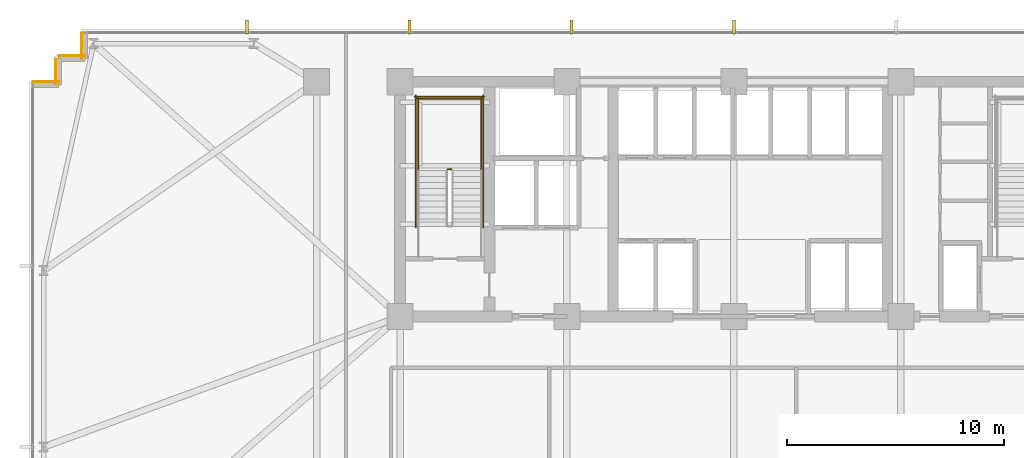
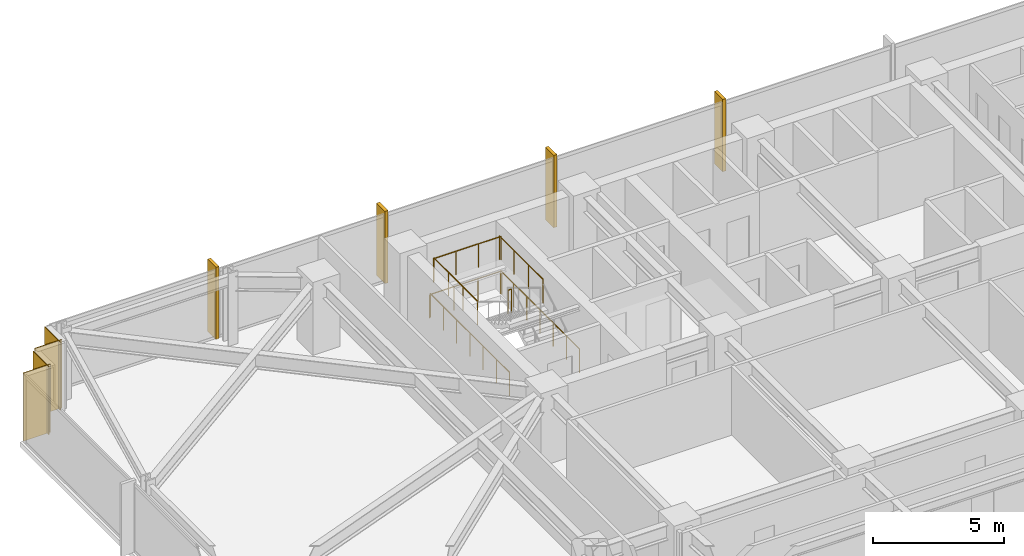
# One storey, part 31 of 33: 7 railings, 4 coverings, 4 shading devices.
"""IFC4 building model written with IfcOpenShell, lengths in metres."""

from ifc_helpers import new_model, si_unit, direction, frame, frame_2d, origin, origin_2d, place, context, subcontext, project, spatial, rectangle, circle, extrude, material, layer, layer_set, type_object, element, save


model = new_model("IFC4")

# Units and contexts
model_context = context("Model", 3, precision=1e-05, world=origin(), true_north=direction((0.0, 1.0)))
body_context = subcontext(model_context, "Body", "Model", "MODEL_VIEW")
ifc_project = project(units=[si_unit("LENGTHUNIT", "METRE"), si_unit("AREAUNIT", "SQUARE_METRE"), si_unit("VOLUMEUNIT", "CUBIC_METRE"), si_unit("PLANEANGLEUNIT", "RADIAN"), si_unit("MASSUNIT", "GRAM", prefix="KILO")], contexts=[model_context])

# Site, building, storey
site_placement = place(None, origin())
site = spatial("IfcSite", under=ifc_project, at=site_placement, CompositionType="ELEMENT")
building_placement = place(site_placement, origin())
building = spatial("IfcBuilding", under=site, at=building_placement, Name="Yelkora Congress Tower", CompositionType="ELEMENT")
storey_placement = place(building_placement, frame((0.0, 0.0, 47.39990234375)))
storey = spatial("IfcBuildingStorey", under=building, at=storey_placement, Name="L11", CompositionType="ELEMENT", Elevation=47.39990234375)

# Coverings
ifc_material_1 = material(Name="Anatolian bush-hammered limestone", Category="masonry")
ifc_layer_1 = layer(ifc_material_1, 0.0400390625)
ifc_layer_set_1 = layer_set([ifc_layer_1], Name="Anatolian bush-hammered limestone")
covering_type = type_object("IfcCoveringType", Name="COV-CLAD-SPANDREL-40", PredefinedType="CLADDING", material=ifc_layer_set_1)
covering_placement = place(storey_placement, frame((6.139892578125, 46.195068359375, 0.0), z_axis=(0.0, 0.0, 1.0), x_axis=(1.0, 0.0, 0.0)))
element("IfcCovering", 1, at=covering_placement, inside=storey, type_object=covering_type, Name="L11 Anatolian Limestone Cladding EW-L11-SR06", PredefinedType="CLADDING", context=body_context, shape_type="SweptSolid", body=[
    extrude(rectangle(XDim=1.2001953125, YDim=0.0400390625, at=frame_2d((0.60009765625, 0.0))), origin(), (0.0, 0.0, 1.0), 3.18017578125),
])
for number, where, z_axis, x_axis, name in (
    (2, (7.205078125, 46.06005859375, 0.0), (0.0, 0.0, 1.0), (0.0, 1.0, 0.0), "L11 Anatolian Limestone Cladding EW-L11-SR07"),
    (3, (7.340087890625, 47.39501953125, 0.0), (0.0, 0.0, 1.0), (1.0, 0.0, 0.0), "L11 Anatolian Limestone Cladding EW-L11-SR08"),
    (4, (8.405029296875, 47.260009765625, 0.0), (0.0, 0.0, 1.0), (0.0, 1.0, 0.0), "L11 Anatolian Limestone Cladding EW-L11-SR09"),
):
    element("IfcCovering", number, at=place(storey_placement, frame(where, z_axis=z_axis, x_axis=x_axis)), inside=storey, type_object=covering_type, Name=name, PredefinedType="CLADDING", context=body_context, shape_type="SweptSolid", body=[
        extrude(rectangle(XDim=1.199951171875, YDim=0.0400390625, at=frame_2d((0.60009765625, 0.0))), origin(), (0.0, 0.0, 1.0), 3.18017578125),
    ])

# Railings
ifc_material_2 = material(Name="Painted galvanised steel stair well guard with vertical infill", Category="steel")
ifc_layer_2 = layer(ifc_material_2, 0.06005859375)
ifc_layer_set_2 = layer_set([ifc_layer_2], Name="Painted galvanised steel stair well guard with vertical infill")
railing_type = type_object("IfcRailingType", Name="RAIL-STAIR-GUARD-1120", PredefinedType="GUARDRAIL", material=ifc_layer_set_2)
railing_1_placement = place(storey_placement, frame((25.39990234375, 42.169921875, 1.7001953125)))
element("IfcRailing", 5, at=railing_1_placement, inside=storey, type_object=railing_type, Name="ST-01 L11 Stair Well Guardrail 2", PredefinedType="GUARDRAIL", context=body_context, shape_type="SweptSolid", body=[
    extrude(circle(Radius=0.02392578125, at=origin_2d()), frame((0.0, 0.0, 1.09619140625), z_axis=(-1.0, 0.0, 0.0), x_axis=(0.0, -1.0, 0.0)), (0.0, 0.0, 1.0), 0.159912109375),
    extrude(circle(Radius=0.02099609375, at=origin_2d()), origin(), (0.0, 0.0, 1.0), 1.072021484375),
    extrude(circle(Radius=0.02099609375, at=origin_2d()), frame((-0.159912109375, 0.0, 0.0)), (0.0, 0.0, 1.0), 1.072021484375),
])
for number, where, name in (
    (6, (26.77001953125, 42.1201171875, 1.7001953125), "ST-01 L11 Stair Well Guardrail 3"),
    (7, (23.8701171875, 42.1201171875, 1.7001953125), "ST-01 L11 Stair Well Guardrail 4"),
):
    element("IfcRailing", number, at=place(storey_placement, frame(where)), inside=storey, type_object=railing_type, Name=name, PredefinedType="GUARDRAIL", context=body_context, shape_type="SweptSolid", body=[
        extrude(circle(Radius=0.02392578125, at=origin_2d()), frame((0.0, 0.0, 1.09619140625), z_axis=(0.0, 1.0, 0.0), x_axis=(-1.0, 0.0, 0.0)), (0.0, 0.0, 1.0), 3.349853515625),
        extrude(circle(Radius=0.02099609375, at=origin_2d()), origin(), (0.0, 0.0, 1.0), 1.072021484375),
        extrude(circle(Radius=0.02099609375, at=origin_2d()), frame((0.0, 1.11669921875, 0.0)), (0.0, 0.0, 1.0), 1.072021484375),
        extrude(circle(Radius=0.02099609375, at=origin_2d()), frame((0.0, 2.233154296875, 0.0)), (0.0, 0.0, 1.0), 1.072021484375),
        extrude(circle(Radius=0.02099609375, at=origin_2d()), frame((0.0, 3.349853515625, 0.0)), (0.0, 0.0, 1.0), 1.072021484375),
    ])
railing_2_placement = place(storey_placement, frame((26.820068359375, 45.419921875, 1.7001953125)))
element("IfcRailing", 8, at=railing_2_placement, inside=storey, type_object=railing_type, Name="ST-01 L11 Stair Well Guardrail 5", PredefinedType="GUARDRAIL", context=body_context, shape_type="SweptSolid", body=[
    extrude(circle(Radius=0.02392578125, at=origin_2d()), frame((0.0, 0.0, 1.09619140625), z_axis=(-1.0, 0.0, 0.0), x_axis=(0.0, -1.0, 0.0)), (0.0, 0.0, 1.0), 3.0),
    extrude(circle(Radius=0.02099609375, at=origin_2d()), origin(), (0.0, 0.0, 1.0), 1.072021484375),
    extrude(circle(Radius=0.02099609375, at=origin_2d()), frame((-1.0, 0.0, 0.0)), (0.0, 0.0, 1.0), 1.072021484375),
    extrude(circle(Radius=0.02099609375, at=origin_2d()), frame((-2.0, 0.0, 0.0)), (0.0, 0.0, 1.0), 1.072021484375),
    extrude(circle(Radius=0.02099609375, at=origin_2d()), frame((-3.0, 0.0, 0.0)), (0.0, 0.0, 1.0), 1.072021484375),
])
for number, where, name in (
    (9, (26.8701171875, 39.5, 0.0), "ST-01 L11 Stair Well Guardrail 10"),
    (10, (23.77001953125, 39.5, 0.0), "ST-01 L11 Stair Well Guardrail 11"),
):
    element("IfcRailing", number, at=place(storey_placement, frame(where)), inside=storey, type_object=railing_type, Name=name, PredefinedType="GUARDRAIL", context=body_context, shape_type="SweptSolid", body=[
        extrude(circle(Radius=0.02392578125, at=origin_2d()), frame((0.0, 0.0, 1.09619140625), z_axis=(0.0, 1.0, 0.0), x_axis=(-1.0, 0.0, 0.0)), (0.0, 0.0, 1.0), 6.070068359375),
        extrude(circle(Radius=0.02099609375, at=origin_2d()), origin(), (0.0, 0.0, 1.0), 1.072021484375),
        extrude(circle(Radius=0.02099609375, at=origin_2d()), frame((0.0, 1.01171875, 0.0)), (0.0, 0.0, 1.0), 1.072021484375),
        extrude(circle(Radius=0.02099609375, at=origin_2d()), frame((0.0, 2.0234375, 0.0)), (0.0, 0.0, 1.0), 1.072021484375),
        extrude(circle(Radius=0.02099609375, at=origin_2d()), frame((0.0, 3.03515625, 0.0)), (0.0, 0.0, 1.0), 1.072021484375),
        extrude(circle(Radius=0.02099609375, at=origin_2d()), frame((0.0, 4.046630859375, 0.0)), (0.0, 0.0, 1.0), 1.072021484375),
        extrude(circle(Radius=0.02099609375, at=origin_2d()), frame((0.0, 5.058349609375, 0.0)), (0.0, 0.0, 1.0), 1.072021484375),
        extrude(circle(Radius=0.02099609375, at=origin_2d()), frame((0.0, 6.070068359375, 0.0)), (0.0, 0.0, 1.0), 1.072021484375),
    ])
railing_3_placement = place(storey_placement, frame((26.919921875, 45.52001953125, 0.0)))
element("IfcRailing", 11, at=railing_3_placement, inside=storey, type_object=railing_type, Name="ST-01 L11 Stair Well Guardrail 12", PredefinedType="GUARDRAIL", context=body_context, shape_type="SweptSolid", body=[
    extrude(circle(Radius=0.02392578125, at=origin_2d()), frame((0.0, 0.0, 1.09619140625), z_axis=(-1.0, 0.0, 0.0), x_axis=(0.0, -1.0, 0.0)), (0.0, 0.0, 1.0), 3.199951171875),
    extrude(circle(Radius=0.02099609375, at=origin_2d()), origin(), (0.0, 0.0, 1.0), 1.072021484375),
    extrude(circle(Radius=0.02099609375, at=origin_2d()), frame((-1.066650390625, 0.0, 0.0)), (0.0, 0.0, 1.0), 1.072021484375),
    extrude(circle(Radius=0.02099609375, at=origin_2d()), frame((-2.13330078125, 0.0, 0.0)), (0.0, 0.0, 1.0), 1.072021484375),
    extrude(circle(Radius=0.02099609375, at=origin_2d()), frame((-3.199951171875, 0.0, 0.0)), (0.0, 0.0, 1.0), 1.072021484375),
])

# Shading devices
ifc_material_3 = material(Name="Champagne anodised aluminium", Category="aluminium")
ifc_layer_3 = layer(ifc_material_3, 3.39990234375)
ifc_layer_set_3 = layer_set([ifc_layer_3], Name="Champagne anodised aluminium")
shading_device_type = type_object("IfcShadingDeviceType", Name="SHD-FIN-ALU-640", PredefinedType="USERDEFINED", material=ifc_layer_set_3)
for number, where, z_axis, x_axis, name in (
    (12, (16.0048828125, 48.719970703125, -0.02978515625), (0.0, 0.0, 1.0), (1.0, 0.0, 0.0), "L11 Vertical Anodised Solar Fin 10-1"),
    (13, (23.469970703125, 48.719970703125, -0.02978515625), (0.0, 0.0, 1.0), (1.0, 0.0, 0.0), "L11 Vertical Anodised Solar Fin 10-2"),
    (14, (30.93505859375, 48.719970703125, -0.02978515625), (0.0, 0.0, 1.0), (1.0, 0.0, 0.0), "L11 Vertical Anodised Solar Fin 10-3"),
    (15, (38.39990234375, 48.719970703125, -0.02978515625), (0.0, 0.0, 1.0), (1.0, 0.0, 0.0), "L11 Vertical Anodised Solar Fin 10-4"),
):
    element("IfcShadingDevice", number, at=place(storey_placement, frame(where, z_axis=z_axis, x_axis=x_axis)), inside=storey, type_object=shading_device_type, Name=name, ObjectType="FIN", PredefinedType="USERDEFINED", context=body_context, shape_type="SweptSolid", body=[
        extrude(rectangle(XDim=0.139892578125, YDim=0.639892578125, at=origin_2d()), origin(), (0.0, 0.0, 1.0), 3.3798828125),
    ])

save(model, "model.ifc")
